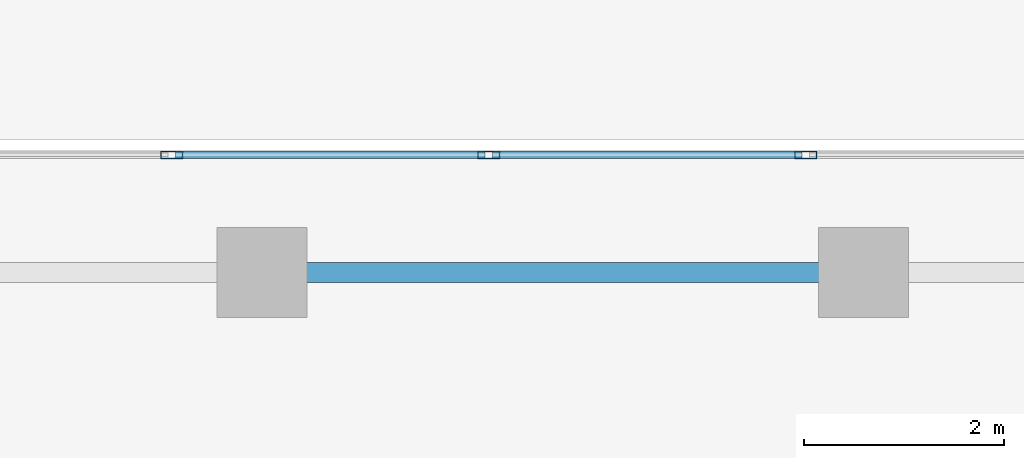
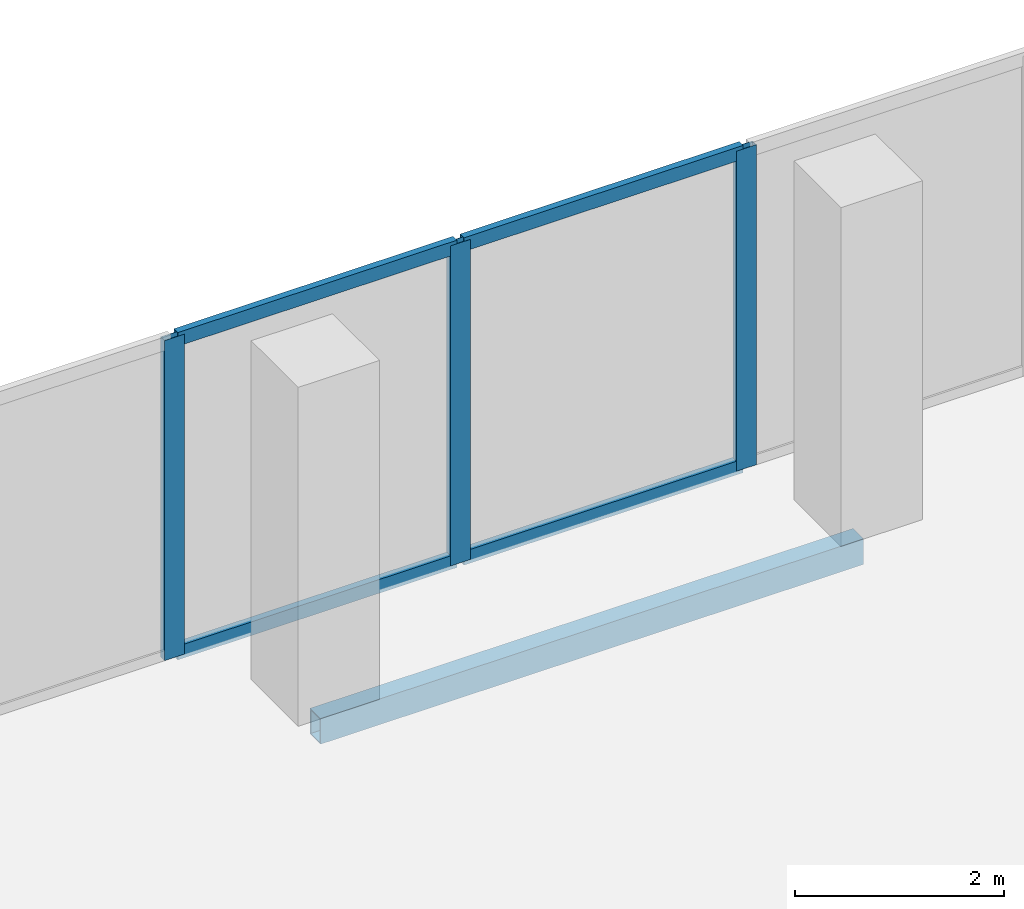
# One storey, part 14 of 30: 7 members, 1 beam, 1 element without a shape of its own.
"""IFC4 building model written with IfcOpenShell, lengths in metres."""

from ifc_helpers import new_model, si_unit, direction, frame, origin, origin_2d, place, context, subcontext, project, spatial, hollow_rectangle, extrude, material, layer, layer_set, material_profile, profile_set, type_object, element, aggregate, save


model = new_model("IFC4")

# Units and contexts
model_context = context("Model", 3, precision=1e-05, world=origin(), true_north=direction((0.0, 1.0)))
body_context = subcontext(model_context, "Body", "Model", "MODEL_VIEW")
ifc_project = project(units=[si_unit("LENGTHUNIT", "METRE"), si_unit("AREAUNIT", "SQUARE_METRE"), si_unit("VOLUMEUNIT", "CUBIC_METRE"), si_unit("PLANEANGLEUNIT", "RADIAN"), si_unit("MASSUNIT", "GRAM", prefix="KILO")], contexts=[model_context])

# Site, building, storey
site_placement = place(None, origin())
site = spatial("IfcSite", under=ifc_project, at=site_placement, CompositionType="ELEMENT")
building_placement = place(site_placement, origin())
building = spatial("IfcBuilding", under=site, at=building_placement, Name="Tanjung Sevakor Pilgrim Tower", CompositionType="ELEMENT")
storey_placement = place(building_placement, frame((0.0, 0.0, 128.0400390625)))
storey = spatial("IfcBuildingStorey", under=building, at=storey_placement, Name="L35", CompositionType="ELEMENT", Elevation=128.0400390625)

# Beam
ifc_material_1 = material(Name="Steel S355J2", Category="steel")
ifc_material_profile_1 = material_profile(ifc_material_1, hollow_rectangle(XDim=0.199951171875, YDim=0.300048828125, WallThickness=0.012451171875, at=origin_2d()))
ifc_profile_set_1 = profile_set([ifc_material_profile_1], Name="Steel S355J2")
beam_type = type_object("IfcBeamType", Name="BM-B-SP3-RHS_300x200x12.5", PredefinedType="SPANDREL", material=ifc_profile_set_1)
beam_placement = place(storey_placement, frame((78.0, 54.0, -0.429931640625), z_axis=(1.0, 0.0, 0.0), x_axis=(0.0, 1.0, 0.0)))
element("IfcBeam", 1, at=beam_placement, inside=storey, type_object=beam_type, Name="L35 Spandrel MAIN N-16", PredefinedType="SPANDREL", context=body_context, shape_type="SweptSolid", body=[
    extrude(hollow_rectangle(XDim=0.199951171875, YDim=0.300048828125, WallThickness=0.012451171875, at=origin_2d()), origin(), (0.0, 0.0, 1.0), 6.0),
])

# Curtain wall, members
ifc_material_2 = material(Name="Aluminium 6063-T6 and Low-E Glass", Category="aluminium")
ifc_layer = layer(ifc_material_2, 0.199951171875)
ifc_layer_set = layer_set([ifc_layer], Name="CW-SYS-SKY")
curtain_wall_type = type_object("IfcCurtainWallType", Name="CW-SYS-SKY", PredefinedType="NOTDEFINED", material=ifc_layer_set)
curtain_wall_placement = place(storey_placement, origin())
curtain_wall = element("IfcCurtainWall", 2, at=curtain_wall_placement, inside=storey, type_object=curtain_wall_type, Name="L35 Curtain Wall CW-SKY-L35-N", PredefinedType="NOTDEFINED")
ifc_material_3 = material(Name="Aluminium 6063-T6", Category="aluminium")
ifc_material_profile_2 = material_profile(ifc_material_3, hollow_rectangle(XDim=0.074951171875, YDim=0.219970703125, WallThickness=0.0048828125, at=origin_2d()))
ifc_profile_set_2 = profile_set([ifc_material_profile_2], Name="Aluminium 6063-T6")
member_type_1 = type_object("IfcMemberType", Name="TYPE-CWM-2", PredefinedType="MULLION", material=ifc_profile_set_2)
member_1_placement = place(storey_placement, frame((83.423583984375, 55.175048828125, 0.0), z_axis=(0.0, 0.0, 1.0), x_axis=(0.0, -1.0, 0.0)))
member_1 = element("IfcMember", 3, at=member_1_placement, type_object=member_type_1, Name="CW-SKY mullion 3", PredefinedType="MULLION", context=body_context, shape_type="SweptSolid", body=[
    extrude(hollow_rectangle(XDim=0.074951171875, YDim=0.219970703125, WallThickness=0.0048828125, at=origin_2d()), origin(), (0.0, 0.0, 1.0), 3.739990234375),
])
member_2_placement = place(storey_placement, frame((80.26123046875, 55.175048828125, 0.0), z_axis=(0.0, 0.0, 1.0), x_axis=(0.0, -1.0, 0.0)))
member_2 = element("IfcMember", 4, at=member_2_placement, type_object=member_type_1, Name="CW-SKY mullion 4", PredefinedType="MULLION", context=body_context, shape_type="SweptSolid", body=[
    extrude(hollow_rectangle(XDim=0.074951171875, YDim=0.219970703125, WallThickness=0.0048828125, at=origin_2d()), origin(), (0.0, 0.0, 1.0), 3.739990234375),
])
member_3_placement = place(storey_placement, frame((77.098876953125, 55.175048828125, 0.0), z_axis=(0.0, 0.0, 1.0), x_axis=(0.0, -1.0, 0.0)))
member_3 = element("IfcMember", 5, at=member_3_placement, type_object=member_type_1, Name="CW-SKY mullion 5", PredefinedType="MULLION", context=body_context, shape_type="SweptSolid", body=[
    extrude(hollow_rectangle(XDim=0.074951171875, YDim=0.219970703125, WallThickness=0.0048828125, at=origin_2d()), origin(), (0.0, 0.0, 1.0), 3.739990234375),
])
ifc_material_4 = material(Name="Aluminium 6063-T6", Category="aluminium")
ifc_material_profile_3 = material_profile(ifc_material_4, hollow_rectangle(XDim=0.074951171875, YDim=0.159912109375, WallThickness=0.00439453125, at=origin_2d()))
ifc_profile_set_3 = profile_set([ifc_material_profile_3], Name="Aluminium 6063-T6")
member_type_2 = type_object("IfcMemberType", Name="TYPE-CWT-2", PredefinedType="USERDEFINED", material=ifc_profile_set_3)
member_4_placement = place(storey_placement, frame((83.385986328125, 55.175048828125, 0.037353515625), z_axis=(-1.0, 0.0, 0.0), x_axis=(0.0, -1.0, 0.0)))
member_4 = element("IfcMember", 6, at=member_4_placement, type_object=member_type_2, Name="CW-SKY transom 3.1", ObjectType="TRANSOM", PredefinedType="USERDEFINED", context=body_context, shape_type="SweptSolid", body=[
    extrude(hollow_rectangle(XDim=0.074951171875, YDim=0.159912109375, WallThickness=0.00439453125, at=origin_2d()), origin(), (0.0, 0.0, 1.0), 3.087158203125),
])
member_5_placement = place(storey_placement, frame((83.385986328125, 55.175048828125, 3.702392578125), z_axis=(-1.0, 0.0, 0.0), x_axis=(0.0, -1.0, 0.0)))
member_5 = element("IfcMember", 7, at=member_5_placement, type_object=member_type_2, Name="CW-SKY transom 3.2", ObjectType="TRANSOM", PredefinedType="USERDEFINED", context=body_context, shape_type="SweptSolid", body=[
    extrude(hollow_rectangle(XDim=0.074951171875, YDim=0.159912109375, WallThickness=0.00439453125, at=origin_2d()), origin(), (0.0, 0.0, 1.0), 3.087158203125),
])
member_6_placement = place(storey_placement, frame((80.2236328125, 55.175048828125, 0.037353515625), z_axis=(-1.0, 0.0, 0.0), x_axis=(0.0, -1.0, 0.0)))
member_6 = element("IfcMember", 8, at=member_6_placement, type_object=member_type_2, Name="CW-SKY transom 4.1", ObjectType="TRANSOM", PredefinedType="USERDEFINED", context=body_context, shape_type="SweptSolid", body=[
    extrude(hollow_rectangle(XDim=0.074951171875, YDim=0.159912109375, WallThickness=0.00439453125, at=origin_2d()), origin(), (0.0, 0.0, 1.0), 3.087158203125),
])
member_7_placement = place(storey_placement, frame((80.2236328125, 55.175048828125, 3.702392578125), z_axis=(-1.0, 0.0, 0.0), x_axis=(0.0, -1.0, 0.0)))
member_7 = element("IfcMember", 9, at=member_7_placement, type_object=member_type_2, Name="CW-SKY transom 4.2", ObjectType="TRANSOM", PredefinedType="USERDEFINED", context=body_context, shape_type="SweptSolid", body=[
    extrude(hollow_rectangle(XDim=0.074951171875, YDim=0.159912109375, WallThickness=0.00439453125, at=origin_2d()), origin(), (0.0, 0.0, 1.0), 3.087158203125),
])
aggregate(curtain_wall, [member_1, member_2, member_3, member_4, member_5, member_6, member_7])

save(model, "model.ifc")
